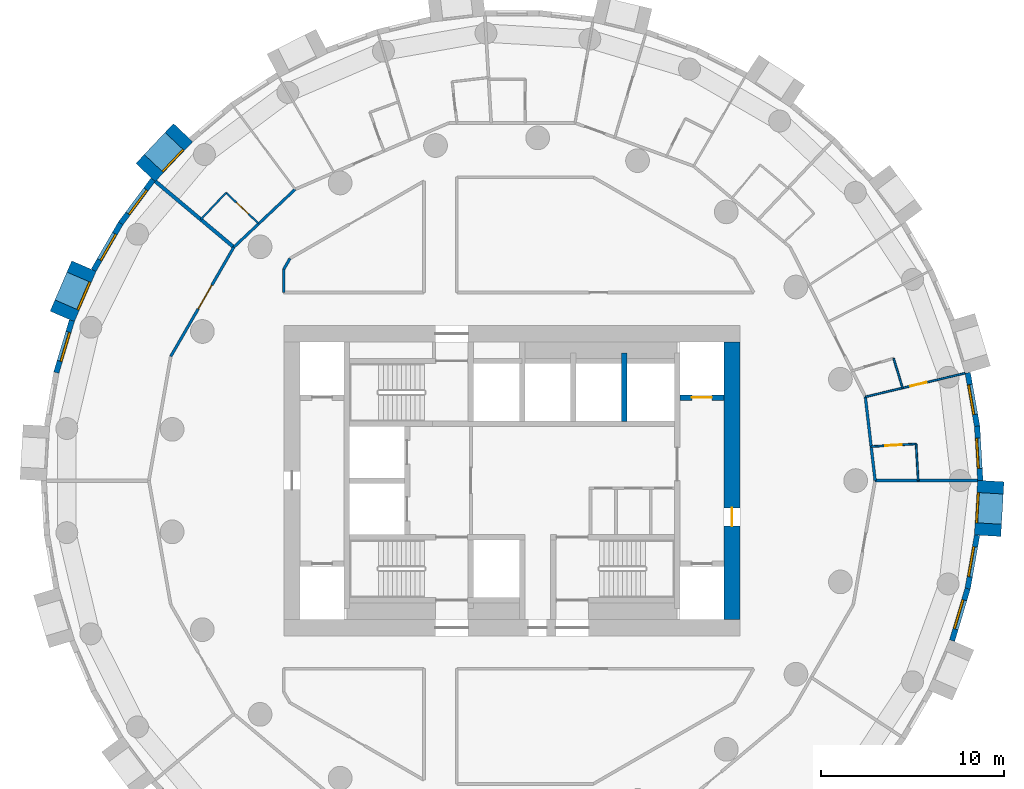
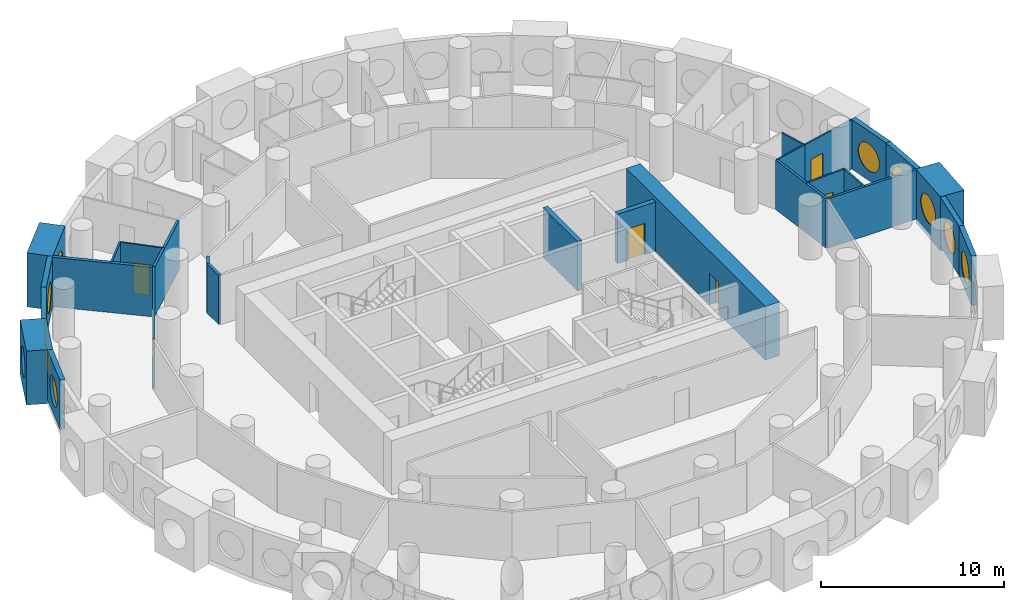
# One storey, part 5 of 10: 27 walls, 10 windows, 6 doors, 16 openings.
"""IFC4 building model written with IfcOpenShell, lengths in metres."""

import ifcopenshell
import ifcopenshell.guid

model = None  # the IFC model being written
_history = None  # IfcOwnerHistory: only IFC2X3 demands one
_inside = {}  # id of a spatial element -> (the spatial element, [elements in it])
_under = {}  # id of a project, library or spatial element -> (it, [spatial elements below it])
_declared = {}  # id of a project -> (the project, [libraries it declares])
_typed = {}  # id of a type object -> (the type object, [elements of that type])
_made_of = {}  # id of a material, layer set ... -> (it, [elements and type objects made of it])


def new_model(schema):
    """Start an empty IFC model of exactly this schema.

    Asked for "IFC4X3", IfcOpenShell would pick the latest addendum, in which some entities
    have other attributes; the version numbers below select the first issue.
    IFC2X3 requires an IfcOwnerHistory on every rooted entity: one is made here for all.
    """
    global model, _history
    if schema == "IFC4X3":
        model = ifcopenshell.file(schema_version=(4, 3, 0, 0))
    else:
        model = ifcopenshell.file(schema=schema)
    _inside.clear()
    _under.clear()
    _declared.clear()
    _typed.clear()
    _made_of.clear()
    _history = None
    if model.schema == "IFC2X3":
        org = make("IfcOrganization", Name="unknown")
        user = make(
            "IfcPersonAndOrganization",
            ThePerson=make("IfcPerson", FamilyName="unknown"),
            TheOrganization=org,
        )
        app = make(
            "IfcApplication",
            ApplicationDeveloper=org,
            Version="unknown",
            ApplicationFullName="unknown",
            ApplicationIdentifier="unknown",
        )
        _history = make(
            "IfcOwnerHistory",
            OwningUser=user,
            OwningApplication=app,
            ChangeAction="ADDED",
            CreationDate=0,
        )
    return model


def make(cls, **values):
    """One entity of the class cls with the attributes given. An attribute that is None is left unset."""
    return model.create_entity(
        cls, **{name: value for name, value in values.items() if value is not None}
    )


def rooted(cls, **values):
    """An entity with a GlobalId (a new one), such as an element, a storey or a relation."""
    return make(cls, GlobalId=ifcopenshell.guid.new(), OwnerHistory=_history, **values)


def si_unit(unit_type, name, prefix=None):
    """IfcSIUnit, for example si_unit("LENGTHUNIT", "METRE", prefix="MILLI")."""
    return make("IfcSIUnit", UnitType=unit_type, Prefix=prefix, Name=name)


def assignment(units):
    """IfcUnitAssignment: the units of a project."""
    return None if units is None else make("IfcUnitAssignment", Units=units)


def point(xyz):
    """IfcCartesianPoint."""
    return None if xyz is None else make("IfcCartesianPoint", Coordinates=xyz)


def direction(xyz):
    """IfcDirection."""
    return None if xyz is None else make("IfcDirection", DirectionRatios=xyz)


def frame(location, z_axis=None, x_axis=None):
    """IfcAxis2Placement3D, a coordinate frame: its origin and axes. An axis left out is left unset."""
    return make(
        "IfcAxis2Placement3D",
        Location=point(location),
        Axis=direction(z_axis),
        RefDirection=direction(x_axis),
    )


def frame_2d(location, x_axis=None):
    """IfcAxis2Placement2D, a coordinate frame in the plane: its origin and x axis."""
    return make(
        "IfcAxis2Placement2D", Location=point(location), RefDirection=direction(x_axis)
    )


def origin():
    """The frame at (0, 0, 0) with its axes left unset."""
    return frame((0.0, 0.0, 0.0))


def origin_2d():
    """The frame at (0, 0) in the plane with its x axis left unset."""
    return frame_2d((0.0, 0.0))


def place(relative_to, where):
    """IfcLocalPlacement: puts the frame where relative to a parent placement (None: the world)."""
    return make(
        "IfcLocalPlacement", PlacementRelTo=relative_to, RelativePlacement=where
    )


def context(
    kind, dimensions, precision=None, world=None, true_north=None, identifier=None
):
    """IfcGeometricRepresentationContext, for example the 3D "Model" context."""
    return make(
        "IfcGeometricRepresentationContext",
        ContextIdentifier=identifier,
        ContextType=kind,
        CoordinateSpaceDimension=dimensions,
        Precision=precision,
        WorldCoordinateSystem=world,
        TrueNorth=true_north,
    )


def subcontext(parent, identifier, kind, view, scale=None):
    """IfcGeometricRepresentationSubContext, for example "Body" below "Model"."""
    return make(
        "IfcGeometricRepresentationSubContext",
        ContextIdentifier=identifier,
        ContextType=kind,
        ParentContext=parent,
        TargetScale=scale,
        TargetView=view,
    )


def project(units=None, contexts=None):
    """IfcProject with its units and contexts."""
    return rooted(
        "IfcProject",
        Name="project",
        RepresentationContexts=contexts,
        UnitsInContext=assignment(units),
    )


def spatial(cls, under=None, at=None, **own):
    """A site, building, storey or space (cls), placed at a placement, below another one or the project."""
    s = rooted(cls, ObjectPlacement=at, **own)
    if under is not None:
        _under.setdefault(under.id(), (under, []))[1].append(s)
    return s


def profile(cls, at=None, kind="AREA", **sizes):
    """A parametric profile (cls). Its sizes go by their IFC names, for example OverallWidth=200.0."""
    return make(cls, ProfileType=kind, Position=at, **sizes)


def rectangle(**sizes):
    """IfcRectangleProfileDef."""
    return profile("IfcRectangleProfileDef", **sizes)


def circle(**sizes):
    """IfcCircleProfileDef."""
    return profile("IfcCircleProfileDef", **sizes)


def extrude(swept, where, along, depth):
    """IfcExtrudedAreaSolid: the profile swept, set in the frame where, extruded along a direction by depth."""
    return make(
        "IfcExtrudedAreaSolid",
        SweptArea=swept,
        Position=where,
        ExtrudedDirection=direction(along),
        Depth=depth,
    )


def shape(context_of_items, identifier, shape_type, items):
    """IfcShapeRepresentation: the items that make up one representation, for example the "Body"."""
    return make(
        "IfcShapeRepresentation",
        ContextOfItems=context_of_items,
        RepresentationIdentifier=identifier,
        RepresentationType=shape_type,
        Items=items,
    )


def material(Name=None, Category=None):
    """IfcMaterial."""
    return make("IfcMaterial", Name=Name, Category=Category)


def layer(
    of_material, thickness, ventilated=None, Name=None, Category=None, Priority=None
):
    """IfcMaterialLayer: one layer of a wall or slab, of a material (None: an air gap)."""
    return make(
        "IfcMaterialLayer",
        Material=of_material,
        LayerThickness=thickness,
        IsVentilated=ventilated,
        Name=Name,
        Category=Category,
        Priority=Priority,
    )


def layer_set(layers, Name=None):
    """IfcMaterialLayerSet."""
    return make("IfcMaterialLayerSet", MaterialLayers=layers, LayerSetName=Name)


def made_of(thing, what):
    """Note that an element or type object is made of a material, layer set ...; save() writes the relation."""
    if what is not None:
        _made_of.setdefault(what.id(), (what, []))[1].append(thing)
    return thing


def type_object(cls, material=None, **own):
    """A type object (cls), such as IfcWallType, which elements share."""
    return made_of(rooted(cls, **own), material)


def element(
    cls,
    number,
    at=None,
    inside=None,
    cuts=None,
    type_object=None,
    material=None,
    context=None,
    identifier="Body",
    shape_type=None,
    held_by="IfcProductDefinitionShape",
    body=None,
    shapes=None,
    **own,
):
    """One element of the class cls, such as IfcWall. Its Tag is "e" and its number.

    at: its placement. inside: the storey or other place that contains it. cuts: it is an
    opening in that element (IfcRelVoidsElement). A single representation is given by context,
    identifier, shape_type and body (its items); several are given by shapes. held_by: the class
    of the entity that holds the representations. save() writes the other relations.
    """
    e = rooted(cls, Tag="e%d" % number, ObjectPlacement=at, **own)
    if body is not None:
        shapes = [shape(context, identifier, shape_type, body)]
    if shapes is not None:
        e.Representation = make(held_by, Representations=shapes)
    if inside is not None:
        _inside.setdefault(inside.id(), (inside, []))[1].append(e)
    if cuts is not None:
        rooted(
            "IfcRelVoidsElement", RelatingBuildingElement=cuts, RelatedOpeningElement=e
        )
    if type_object is not None:
        _typed.setdefault(type_object.id(), (type_object, []))[1].append(e)
    return made_of(e, material)


def fill(opening, filler):
    """IfcRelFillsElement: the door or window that sits in an opening."""
    return rooted(
        "IfcRelFillsElement",
        RelatingOpeningElement=opening,
        RelatedBuildingElement=filler,
    )


def aggregate(whole, parts):
    """IfcRelAggregates: a whole, such as a stair, and the parts it consists of."""
    return rooted("IfcRelAggregates", RelatingObject=whole, RelatedObjects=parts)


def save(model, path):
    """Write the relations noted so far, then the file.

    IfcRelAggregates (storeys below a building ...), IfcRelContainedInSpatialStructure (elements
    in a storey), IfcRelDefinesByType, IfcRelAssociatesMaterial and IfcRelDeclares: one each for
    every whole, place, type object, material and project.
    """
    for whole, parts in _under.values():
        aggregate(whole, parts)
    for where, things in _inside.values():
        rooted(
            "IfcRelContainedInSpatialStructure",
            RelatedElements=things,
            RelatingStructure=where,
        )
    for kind, things in _typed.values():
        rooted("IfcRelDefinesByType", RelatedObjects=things, RelatingType=kind)
    for what, things in _made_of.values():
        rooted("IfcRelAssociatesMaterial", RelatedObjects=things, RelatingMaterial=what)
    for by, libraries in _declared.values():
        rooted("IfcRelDeclares", RelatingContext=by, RelatedDefinitions=libraries)
    model.write(path)


model = new_model("IFC4")

# Units and contexts
model_context = context("Model", 3, precision=1e-05, world=origin(), true_north=direction((0.0, 1.0)))
body_context = subcontext(model_context, "Body", "Model", "MODEL_VIEW")
ifc_project = project(units=[si_unit("LENGTHUNIT", "METRE"), si_unit("AREAUNIT", "SQUARE_METRE"), si_unit("VOLUMEUNIT", "CUBIC_METRE"), si_unit("PLANEANGLEUNIT", "RADIAN"), si_unit("MASSUNIT", "GRAM", prefix="KILO")], contexts=[model_context])

# Site, building, storey
site_placement = place(None, origin())
site = spatial("IfcSite", under=ifc_project, at=site_placement, CompositionType="ELEMENT")
building_placement = place(site_placement, origin())
building = spatial("IfcBuilding", under=site, at=building_placement, Name="Tracery Tower", CompositionType="ELEMENT")
storey_placement = place(building_placement, frame((0.0, 0.0, 129.60009765625)))
storey = spatial("IfcBuildingStorey", under=building, at=storey_placement, Name="L32", CompositionType="ELEMENT", Elevation=129.60009765625)

# Wall, opening, door
ifc_material_1 = material(Name="Concrete C50/60", Category="concrete")
ifc_layer_1 = layer(ifc_material_1, 0.89990234375)
ifc_layer_set_1 = layer_set([ifc_layer_1], Name="Core wall 900 C50")
wall_type_1 = type_object("IfcWallType", Name="Core wall 900 C50", PredefinedType="SOLIDWALL", material=ifc_layer_set_1)
wall_1_placement = place(storey_placement, frame((12.050048828125, -7.60009765625, 0.0), z_axis=(0.0, 0.0, 1.0), x_axis=(0.0, 1.0, 0.0)))
wall_1 = element("IfcWall", 1, at=wall_1_placement, inside=storey, type_object=wall_type_1, Name="L32 outer E", PredefinedType="SOLIDWALL", context=body_context, shape_type="SweptSolid", body=[
    extrude(rectangle(XDim=15.2001953125, YDim=0.89990234375, at=frame_2d((7.60009765625, 0.0))), origin(), (0.0, 0.0, 1.0), 3.599853515625),
])
opening_1_placement = place(wall_1_placement, frame((5.10009765625, 0.0, 0.0)))
opening_1 = element("IfcOpeningElement", 2, at=opening_1_placement, cuts=wall_1, Name="Opening KD18", PredefinedType="OPENING", context=body_context, shape_type="SweptSolid", body=[
    extrude(rectangle(XDim=1.0, YDim=2.10009765625, at=frame_2d((0.5, 1.050048828125))), frame((0.0, 0.449951171875, 0.0), z_axis=(0.0, -1.0, 0.0), x_axis=(1.0, 0.0, 0.0)), (0.0, 0.0, 1.0), 0.89990234375),
])
ifc_material_2 = material(Name="Steel fire door", Category="steel")
door_type_1 = type_object("IfcDoorType", Name="Core exit door 1000", OperationType="NOTDEFINED", PredefinedType="DOOR", material=ifc_material_2)
door_1_placement = place(opening_1_placement, origin())
door_1 = element("IfcDoor", 3, at=door_1_placement, inside=storey, type_object=door_type_1, Name="Core exit door", OperationType="DOUBLE_DOOR_SINGLE_SWING", OverallHeight=2.10009765625, OverallWidth=1.0, PredefinedType="DOOR", context=body_context, shape_type="SweptSolid", body=[
    extrude(rectangle(XDim=1.0, YDim=2.10009765625, at=frame_2d((0.5, 1.050048828125))), frame((0.0, 0.02490234375, 0.0), z_axis=(0.0, -1.0, 0.0), x_axis=(1.0, 0.0, 0.0)), (0.0, 0.0, 1.0), 0.050048828125),
])
fill(opening_1, door_1)

# Wall, opening, window
ifc_material_3 = material(Name="Precast concrete C50/60", Category="concrete")
ifc_layer_2 = layer(ifc_material_3, 1.449951171875)
ifc_layer_set_2 = layer_set([ifc_layer_2], Name="Deep-set bay unit 3000 x 3600, slab edge 300")
wall_type_2 = type_object("IfcWallType", Name="Deep-set bay unit 3000 x 3600, slab edge 300", PredefinedType="ELEMENTEDWALL", material=ifc_layer_set_2)
wall_2_placement = place(storey_placement, frame((-18.0126953125, 19.05615234375, -0.300048828125), z_axis=(0.0, 0.0, 1.0), x_axis=(-0.686217177108, -0.727396718334, 0.0)))
wall_2 = element("IfcWall", 4, at=wall_2_placement, inside=storey, type_object=wall_type_2, Name="Deep-set bay unit 21 at L32", PredefinedType="ELEMENTEDWALL", context=body_context, shape_type="SweptSolid", body=[
    extrude(rectangle(XDim=3.0, YDim=1.449951171875, at=frame_2d((1.5, 0.0))), origin(), (0.0, 0.0, 1.0), 3.599853515625),
])
opening_2_placement = place(wall_2_placement, frame((1.5, 0.0, 1.85009765625)))
opening_2 = element("IfcOpeningElement", 5, at=opening_2_placement, cuts=wall_2, Name="Opening WN1", PredefinedType="OPENING", context=body_context, shape_type="SweptSolid", body=[
    extrude(circle(Radius=0.9000244140625, at=origin_2d()), frame((0.0, 0.73486328125, 0.0), z_axis=(0.0, -1.0, 0.0), x_axis=(1.0, 0.0, 0.0)), (0.0, 0.0, 1.0), 1.469970703125),
])
ifc_material_4 = material(Name="Aluminium frame with tinted double glazing", Category="aluminium")
window_type = type_object("IfcWindowType", Name="Round window 1800", PartitioningType="SINGLE_PANEL", PredefinedType="WINDOW", material=ifc_material_4)
window_1_placement = place(opening_2_placement, origin())
window_1 = element("IfcWindow", 6, at=window_1_placement, inside=storey, type_object=window_type, Name="Round window 21 at L32", OverallHeight=1.800048828125, OverallWidth=1.800048828125, PartitioningType="SINGLE_PANEL", PredefinedType="WINDOW", context=body_context, shape_type="SweptSolid", body=[
    extrude(circle(Radius=0.9000244140625, at=origin_2d()), frame((0.0, 0.69482421875, 0.0), z_axis=(0.0, -1.0, 0.0), x_axis=(1.0, 0.0, 0.0)), (0.0, 0.0, 1.0), 0.10009765625),
])
fill(opening_2, window_1)

wall_3_placement = place(storey_placement, frame((-23.44384765625, 11.746337890625, -0.300048828125), z_axis=(0.0, 0.0, 1.0), x_axis=(-0.396079003245, -0.918216435917, 0.0)))
wall_3 = element("IfcWall", 7, at=wall_3_placement, inside=storey, type_object=wall_type_2, Name="Deep-set bay unit 24 at L32", PredefinedType="ELEMENTEDWALL", context=body_context, shape_type="SweptSolid", body=[
    extrude(rectangle(XDim=3.0, YDim=1.449951171875, at=frame_2d((1.5, 0.0))), origin(), (0.0, 0.0, 1.0), 3.599853515625),
])
opening_3_placement = place(wall_3_placement, frame((1.5, 0.0, 1.85009765625)))
opening_3 = element("IfcOpeningElement", 8, at=opening_3_placement, cuts=wall_3, Name="Opening WN1", PredefinedType="OPENING", context=body_context, shape_type="SweptSolid", body=[
    extrude(circle(Radius=0.9000244140625, at=origin_2d()), frame((0.0, 0.73486328125, 0.0), z_axis=(0.0, -1.0, 0.0), x_axis=(1.0, 0.0, 0.0)), (0.0, 0.0, 1.0), 1.469970703125),
])
window_2_placement = place(opening_3_placement, origin())
window_2 = element("IfcWindow", 9, at=window_2_placement, inside=storey, type_object=window_type, Name="Round window 24 at L32", OverallHeight=1.800048828125, OverallWidth=1.800048828125, PartitioningType="SINGLE_PANEL", PredefinedType="WINDOW", context=body_context, shape_type="SweptSolid", body=[
    extrude(circle(Radius=0.9000244140625, at=origin_2d()), frame((0.0, 0.69482421875, 0.0), z_axis=(0.0, -1.0, 0.0), x_axis=(1.0, 0.0, 0.0)), (0.0, 0.0, 1.0), 0.10009765625),
])
fill(opening_3, window_2)

wall_4_placement = place(storey_placement, frame((26.047607421875, -3.01953125, -0.300048828125), z_axis=(0.0, 0.0, 1.0), x_axis=(0.058106596105, 0.998310384344, 0.0)))
wall_4 = element("IfcWall", 10, at=wall_4_placement, inside=storey, type_object=wall_type_2, Name="Deep-set bay unit 54 at L32", PredefinedType="ELEMENTEDWALL", context=body_context, shape_type="SweptSolid", body=[
    extrude(rectangle(XDim=3.0, YDim=1.449951171875, at=frame_2d((1.5, 0.0))), origin(), (0.0, 0.0, 1.0), 3.599853515625),
])
opening_4_placement = place(wall_4_placement, frame((1.5, 0.0, 1.85009765625)))
opening_4 = element("IfcOpeningElement", 11, at=opening_4_placement, cuts=wall_4, Name="Opening WN1", PredefinedType="OPENING", context=body_context, shape_type="SweptSolid", body=[
    extrude(circle(Radius=0.9000244140625, at=origin_2d()), frame((0.0, 0.73486328125, 0.0), z_axis=(0.0, -1.0, 0.0), x_axis=(1.0, 0.0, 0.0)), (0.0, 0.0, 1.0), 1.469970703125),
])
window_3_placement = place(opening_4_placement, origin())
window_3 = element("IfcWindow", 12, at=window_3_placement, inside=storey, type_object=window_type, Name="Round window 54 at L32", OverallHeight=1.800048828125, OverallWidth=1.800048828125, PartitioningType="SINGLE_PANEL", PredefinedType="WINDOW", context=body_context, shape_type="SweptSolid", body=[
    extrude(circle(Radius=0.9000244140625, at=origin_2d()), frame((0.0, 0.69482421875, 0.0), z_axis=(0.0, -1.0, 0.0), x_axis=(1.0, 0.0, 0.0)), (0.0, 0.0, 1.0), 0.10009765625),
])
fill(opening_4, window_3)

ifc_material_5 = material(Name="Precast concrete C50/60", Category="concrete")
ifc_layer_3 = layer(ifc_material_5, 0.300048828125)
ifc_layer_set_3 = layer_set([ifc_layer_3], Name="Facade panel 3000 x 3300")
wall_type_3 = type_object("IfcWallType", Name="Facade panel 3000 x 3300", PredefinedType="SOLIDWALL", material=ifc_layer_set_3)
wall_5_placement = place(storey_placement, frame((25.64697265625, 0.009521484375, 0.0), z_axis=(0.0, 0.0, 1.0), x_axis=(-0.058139540521, 0.998308466271, 0.0)))
wall_5 = element("IfcWall", 13, at=wall_5_placement, inside=storey, type_object=wall_type_3, Name="Facade panel 1 at L32", PredefinedType="SOLIDWALL", context=body_context, shape_type="SweptSolid", body=[
    extrude(rectangle(XDim=2.97314453125, YDim=0.300048828125, at=frame_2d((1.486572265625, 0.0))), origin(), (0.0, 0.0, 1.0), 3.2998046875),
])
opening_5_placement = place(wall_5_placement, frame((1.486328125, 0.0, 1.5498046875)))
opening_5 = element("IfcOpeningElement", 14, at=opening_5_placement, cuts=wall_5, Name="Opening WN1", PredefinedType="OPENING", context=body_context, shape_type="SweptSolid", body=[
    extrude(circle(Radius=0.9000244140625, at=origin_2d()), frame((0.0, 0.159912109375, 0.0), z_axis=(0.0, -1.0, 0.0), x_axis=(1.0, 0.0, 0.0)), (0.0, 0.0, 1.0), 0.320068359375),
])
window_4_placement = place(opening_5_placement, origin())
window_4 = element("IfcWindow", 15, at=window_4_placement, inside=storey, type_object=window_type, Name="Round window 1 at L32", OverallHeight=1.800048828125, OverallWidth=1.800048828125, PartitioningType="SINGLE_PANEL", PredefinedType="WINDOW", context=body_context, shape_type="SweptSolid", body=[
    extrude(circle(Radius=0.9000244140625, at=origin_2d()), frame((0.0, 0.1201171875, 0.0), z_axis=(0.0, -1.0, 0.0), x_axis=(1.0, 0.0, 0.0)), (0.0, 0.0, 1.0), 0.10009765625),
])
fill(opening_5, window_4)

wall_6_placement = place(storey_placement, frame((25.47412109375, 2.9775390625, 0.0), z_axis=(0.0, 0.0, 1.0), x_axis=(-0.173686952598, 0.984800915159, 0.0)))
wall_6 = element("IfcWall", 16, at=wall_6_placement, inside=storey, type_object=wall_type_3, Name="Facade panel 2 at L32", PredefinedType="SOLIDWALL", context=body_context, shape_type="SweptSolid", body=[
    extrude(rectangle(XDim=2.972900390625, YDim=0.300048828125, at=frame_2d((1.486328125, 0.0))), origin(), (0.0, 0.0, 1.0), 3.2998046875),
])
opening_6_placement = place(wall_6_placement, frame((1.486328125, 0.0, 1.5498046875)))
opening_6 = element("IfcOpeningElement", 17, at=opening_6_placement, cuts=wall_6, Name="Opening WN1", PredefinedType="OPENING", context=body_context, shape_type="SweptSolid", body=[
    extrude(circle(Radius=0.9000244140625, at=origin_2d()), frame((0.0, 0.159912109375, 0.0), z_axis=(0.0, -1.0, 0.0), x_axis=(1.0, 0.0, 0.0)), (0.0, 0.0, 1.0), 0.320068359375),
])
window_5_placement = place(opening_6_placement, origin())
window_5 = element("IfcWindow", 18, at=window_5_placement, inside=storey, type_object=window_type, Name="Round window 2 at L32", OverallHeight=1.800048828125, OverallWidth=1.800048828125, PartitioningType="SINGLE_PANEL", PredefinedType="WINDOW", context=body_context, shape_type="SweptSolid", body=[
    extrude(circle(Radius=0.9000244140625, at=origin_2d()), frame((0.0, 0.1201171875, 0.0), z_axis=(0.0, -1.0, 0.0), x_axis=(1.0, 0.0, 0.0)), (0.0, 0.0, 1.0), 0.10009765625),
])
fill(opening_6, window_5)

wall_7_placement = place(storey_placement, frame((-19.65283203125, 16.47802734375, 0.0), z_axis=(0.0, 0.0, 1.0), x_axis=(-0.597197580538, -0.80209416517, 0.0)))
wall_7 = element("IfcWall", 19, at=wall_7_placement, inside=storey, type_object=wall_type_3, Name="Facade panel 22 at L32", PredefinedType="SOLIDWALL", context=body_context, shape_type="SweptSolid", body=[
    extrude(rectangle(XDim=2.972900390625, YDim=0.300048828125, at=frame_2d((1.486328125, 0.0))), origin(), (0.0, 0.0, 1.0), 3.2998046875),
])
opening_7_placement = place(wall_7_placement, frame((1.486328125, 0.0, 1.5498046875)))
opening_7 = element("IfcOpeningElement", 20, at=opening_7_placement, cuts=wall_7, Name="Opening WN1", PredefinedType="OPENING", context=body_context, shape_type="SweptSolid", body=[
    extrude(circle(Radius=0.9000244140625, at=origin_2d()), frame((0.0, 0.159912109375, 0.0), z_axis=(0.0, -1.0, 0.0), x_axis=(1.0, 0.0, 0.0)), (0.0, 0.0, 1.0), 0.320068359375),
])
window_6_placement = place(opening_7_placement, origin())
window_6 = element("IfcWindow", 21, at=window_6_placement, inside=storey, type_object=window_type, Name="Round window 22 at L32", OverallHeight=1.800048828125, OverallWidth=1.800048828125, PartitioningType="SINGLE_PANEL", PredefinedType="WINDOW", context=body_context, shape_type="SweptSolid", body=[
    extrude(circle(Radius=0.9000244140625, at=origin_2d()), frame((0.0, 0.1201171875, 0.0), z_axis=(0.0, -1.0, 0.0), x_axis=(1.0, 0.0, 0.0)), (0.0, 0.0, 1.0), 0.10009765625),
])
fill(opening_7, window_6)

wall_8_placement = place(storey_placement, frame((-21.42822265625, 14.093505859375, 0.0), z_axis=(0.0, 0.0, 1.0), x_axis=(-0.499954672104, -0.866051572276, 0.0)))
wall_8 = element("IfcWall", 22, at=wall_8_placement, inside=storey, type_object=wall_type_3, Name="Facade panel 23 at L32", PredefinedType="SOLIDWALL", context=body_context, shape_type="SweptSolid", body=[
    extrude(rectangle(XDim=2.972900390625, YDim=0.300048828125, at=frame_2d((1.486328125, 0.0))), origin(), (0.0, 0.0, 1.0), 3.2998046875),
])
opening_8_placement = place(wall_8_placement, frame((1.486328125, 0.0, 1.5498046875)))
opening_8 = element("IfcOpeningElement", 23, at=opening_8_placement, cuts=wall_8, Name="Opening WN1", PredefinedType="OPENING", context=body_context, shape_type="SweptSolid", body=[
    extrude(circle(Radius=0.9000244140625, at=origin_2d()), frame((0.0, 0.159912109375, 0.0), z_axis=(0.0, -1.0, 0.0), x_axis=(1.0, 0.0, 0.0)), (0.0, 0.0, 1.0), 0.320068359375),
])
window_7_placement = place(opening_8_placement, origin())
window_7 = element("IfcWindow", 24, at=window_7_placement, inside=storey, type_object=window_type, Name="Round window 23 at L32", OverallHeight=1.800048828125, OverallWidth=1.800048828125, PartitioningType="SINGLE_PANEL", PredefinedType="WINDOW", context=body_context, shape_type="SweptSolid", body=[
    extrude(circle(Radius=0.9000244140625, at=origin_2d()), frame((0.0, 0.1201171875, 0.0), z_axis=(0.0, -1.0, 0.0), x_axis=(1.0, 0.0, 0.0)), (0.0, 0.0, 1.0), 0.10009765625),
])
fill(opening_8, window_7)

wall_9_placement = place(storey_placement, frame((-24.103515625, 8.7626953125, 0.0), z_axis=(0.0, 0.0, 1.0), x_axis=(-0.286782750849, -0.957995643944, 0.0)))
wall_9 = element("IfcWall", 25, at=wall_9_placement, inside=storey, type_object=wall_type_3, Name="Facade panel 25 at L32", PredefinedType="SOLIDWALL", context=body_context, shape_type="SweptSolid", body=[
    extrude(rectangle(XDim=2.97265625, YDim=0.300048828125, at=frame_2d((1.486328125, 0.0))), origin(), (0.0, 0.0, 1.0), 3.2998046875),
])
opening_9_placement = place(wall_9_placement, frame((1.486328125, 0.0, 1.5498046875)))
opening_9 = element("IfcOpeningElement", 26, at=opening_9_placement, cuts=wall_9, Name="Opening WN1", PredefinedType="OPENING", context=body_context, shape_type="SweptSolid", body=[
    extrude(circle(Radius=0.9000244140625, at=origin_2d()), frame((0.0, 0.159912109375, 0.0), z_axis=(0.0, -1.0, 0.0), x_axis=(1.0, 0.0, 0.0)), (0.0, 0.0, 1.0), 0.320068359375),
])
window_8_placement = place(opening_9_placement, origin())
window_8 = element("IfcWindow", 27, at=window_8_placement, inside=storey, type_object=window_type, Name="Round window 25 at L32", OverallHeight=1.800048828125, OverallWidth=1.800048828125, PartitioningType="SINGLE_PANEL", PredefinedType="WINDOW", context=body_context, shape_type="SweptSolid", body=[
    extrude(circle(Radius=0.9000244140625, at=origin_2d()), frame((0.0, 0.1201171875, 0.0), z_axis=(0.0, -1.0, 0.0), x_axis=(1.0, 0.0, 0.0)), (0.0, 0.0, 1.0), 0.10009765625),
])
fill(opening_9, window_8)

wall_10_placement = place(storey_placement, frame((24.103515625, -8.7626953125, 0.0), z_axis=(0.0, 0.0, 1.0), x_axis=(0.286782750849, 0.957995643944, 0.0)))
wall_10 = element("IfcWall", 28, at=wall_10_placement, inside=storey, type_object=wall_type_3, Name="Facade panel 52 at L32", PredefinedType="SOLIDWALL", context=body_context, shape_type="SweptSolid", body=[
    extrude(rectangle(XDim=2.97265625, YDim=0.300048828125, at=frame_2d((1.486328125, 0.0))), origin(), (0.0, 0.0, 1.0), 3.2998046875),
])
opening_10_placement = place(wall_10_placement, frame((1.486328125, 0.0, 1.5498046875)))
opening_10 = element("IfcOpeningElement", 29, at=opening_10_placement, cuts=wall_10, Name="Opening WN1", PredefinedType="OPENING", context=body_context, shape_type="SweptSolid", body=[
    extrude(circle(Radius=0.9000244140625, at=origin_2d()), frame((0.0, 0.159912109375, 0.0), z_axis=(0.0, -1.0, 0.0), x_axis=(1.0, 0.0, 0.0)), (0.0, 0.0, 1.0), 0.320068359375),
])
window_9_placement = place(opening_10_placement, origin())
window_9 = element("IfcWindow", 30, at=window_9_placement, inside=storey, type_object=window_type, Name="Round window 52 at L32", OverallHeight=1.800048828125, OverallWidth=1.800048828125, PartitioningType="SINGLE_PANEL", PredefinedType="WINDOW", context=body_context, shape_type="SweptSolid", body=[
    extrude(circle(Radius=0.9000244140625, at=origin_2d()), frame((0.0, 0.1201171875, 0.0), z_axis=(0.0, -1.0, 0.0), x_axis=(1.0, 0.0, 0.0)), (0.0, 0.0, 1.0), 0.10009765625),
])
fill(opening_10, window_9)

wall_11_placement = place(storey_placement, frame((24.9560546875, -5.914794921875, 0.0), z_axis=(0.0, 0.0, 1.0), x_axis=(0.173686952598, 0.984800915159, 0.0)))
wall_11 = element("IfcWall", 31, at=wall_11_placement, inside=storey, type_object=wall_type_3, Name="Facade panel 53 at L32", PredefinedType="SOLIDWALL", context=body_context, shape_type="SweptSolid", body=[
    extrude(rectangle(XDim=2.972900390625, YDim=0.300048828125, at=frame_2d((1.486328125, 0.0))), origin(), (0.0, 0.0, 1.0), 3.2998046875),
])
opening_11_placement = place(wall_11_placement, frame((1.486328125, 0.0, 1.5498046875)))
opening_11 = element("IfcOpeningElement", 32, at=opening_11_placement, cuts=wall_11, Name="Opening WN1", PredefinedType="OPENING", context=body_context, shape_type="SweptSolid", body=[
    extrude(circle(Radius=0.9000244140625, at=origin_2d()), frame((0.0, 0.159912109375, 0.0), z_axis=(0.0, -1.0, 0.0), x_axis=(1.0, 0.0, 0.0)), (0.0, 0.0, 1.0), 0.320068359375),
])
window_10_placement = place(opening_11_placement, origin())
window_10 = element("IfcWindow", 33, at=window_10_placement, inside=storey, type_object=window_type, Name="Round window 53 at L32", OverallHeight=1.800048828125, OverallWidth=1.800048828125, PartitioningType="SINGLE_PANEL", PredefinedType="WINDOW", context=body_context, shape_type="SweptSolid", body=[
    extrude(circle(Radius=0.9000244140625, at=origin_2d()), frame((0.0, 0.1201171875, 0.0), z_axis=(0.0, -1.0, 0.0), x_axis=(1.0, 0.0, 0.0)), (0.0, 0.0, 1.0), 0.10009765625),
])
fill(opening_11, window_10)

# Wall, opening, door
ifc_material_6 = material(Name="Plasterboard on steel studs", Category="steel")
ifc_layer_4 = layer(ifc_material_6, 0.10009765625)
ifc_layer_set_4 = layer_set([ifc_layer_4], Name="Partition 100 stud")
wall_type_4 = type_object("IfcWallType", Name="Partition 100 stud", PredefinedType="PARTITIONING", material=ifc_layer_set_4)
wall_12_placement = place(storey_placement, frame((21.388916015625, 5.069091796875, 0.0), z_axis=(0.0, 0.0, 1.0), x_axis=(0.973047083334, 0.2306065342, 0.0)))
wall_12 = element("IfcWall", 34, at=wall_12_placement, inside=storey, type_object=wall_type_4, Name="Stud partition RB1-043", PredefinedType="PARTITIONING", context=body_context, shape_type="SweptSolid", body=[
    extrude(rectangle(XDim=3.515869140625, YDim=0.10009765625, at=frame_2d((1.7578125, 0.0))), origin(), (0.0, 0.0, 1.0), 3.2998046875),
])
opening_12_placement = place(wall_12_placement, frame((0.44677734375, 0.0, 0.0)))
opening_12 = element("IfcOpeningElement", 35, at=opening_12_placement, cuts=wall_12, Name="Opening RB1-08", PredefinedType="OPENING", context=body_context, shape_type="SweptSolid", body=[
    extrude(rectangle(XDim=0.89990234375, YDim=2.10009765625, at=frame_2d((0.449951171875, 1.050048828125))), frame((0.0, 0.050048828125, 0.0), z_axis=(0.0, -1.0, 0.0), x_axis=(1.0, 0.0, 0.0)), (0.0, 0.0, 1.0), 0.10009765625),
])
ifc_material_7 = material(Name="Timber door leaf", Category="wood")
door_type_2 = type_object("IfcDoorType", Name="Door bedroom 900", OperationType="NOTDEFINED", PredefinedType="DOOR", material=ifc_material_7)
door_2_placement = place(opening_12_placement, origin())
door_2 = element("IfcDoor", 36, at=door_2_placement, inside=storey, type_object=door_type_2, Name="Bedroom door RB1-08", OperationType="SINGLE_SWING_RIGHT", OverallHeight=2.10009765625, OverallWidth=0.89990234375, PredefinedType="DOOR", context=body_context, shape_type="SweptSolid", body=[
    extrude(rectangle(XDim=0.89990234375, YDim=2.10009765625, at=frame_2d((0.449951171875, 1.050048828125))), frame((0.0, 0.02490234375, 0.0), z_axis=(0.0, -1.0, 0.0), x_axis=(1.0, 0.0, 0.0)), (0.0, 0.0, 1.0), 0.050048828125),
])
fill(opening_12, door_2)

# Walls
ifc_material_8 = material(Name="Plasterboard on steel studs", Category="steel")
ifc_layer_5 = layer(ifc_material_8, 0.10009765625)
ifc_layer_set_5 = layer_set([ifc_layer_5], Name="Partition 100 wet wall")
wall_type_5 = type_object("IfcWallType", Name="Partition 100 wet wall", PredefinedType="PARTITIONING", material=ifc_layer_set_5)
wall_13_placement = place(storey_placement, frame((20.902099609375, 6.694091796875, 0.0), z_axis=(0.0, 0.0, 1.0), x_axis=(0.286978159246, -0.957937125346, 0.0)))
element("IfcWall", 37, at=wall_13_placement, inside=storey, type_object=wall_type_5, Name="Wet wall RB1-041", PredefinedType="PARTITIONING", context=body_context, shape_type="SweptSolid", body=[
    extrude(rectangle(XDim=1.6962890625, YDim=0.10009765625, at=frame_2d((0.84814453125, 0.0))), origin(), (0.0, 0.0, 1.0), 3.2998046875),
])
wall_14_placement = place(storey_placement, frame((19.35205078125, 4.5859375, 0.0), z_axis=(0.0, 0.0, 1.0), x_axis=(0.973001078158, 0.230800567383, 0.0)))
element("IfcWall", 38, at=wall_14_placement, inside=storey, type_object=wall_type_5, Name="Wet wall RB1-045", PredefinedType="PARTITIONING", context=body_context, shape_type="SweptSolid", body=[
    extrude(rectangle(XDim=2.093505859375, YDim=0.10009765625, at=frame_2d((1.046875, 0.0))), origin(), (0.0, 0.0, 1.0), 3.2998046875),
])
wall_15_placement = place(storey_placement, frame((22.1298828125, 2.008056640625, 0.0), z_axis=(0.0, 0.0, 1.0), x_axis=(0.058259538708, -0.998301470574, 0.0)))
element("IfcWall", 39, at=wall_15_placement, inside=storey, type_object=wall_type_5, Name="Wet wall RB1-046", PredefinedType="PARTITIONING", context=body_context, shape_type="SweptSolid", body=[
    extrude(rectangle(XDim=2.011474609375, YDim=0.10009765625, at=frame_2d((1.005859375, 0.0))), origin(), (0.0, 0.0, 1.0), 3.2998046875),
])

# Wall, opening, door
wall_16_placement = place(storey_placement, frame((19.669921875, 1.864013671875, 0.0), z_axis=(0.0, 0.0, 1.0), x_axis=(0.998290052933, 0.058454856216, 0.0)))
wall_16 = element("IfcWall", 40, at=wall_16_placement, inside=storey, type_object=wall_type_5, Name="Wet wall RB1-047", PredefinedType="PARTITIONING", context=body_context, shape_type="SweptSolid", body=[
    extrude(rectangle(XDim=2.464111328125, YDim=0.10009765625, at=frame_2d((1.23193359375, 0.0))), origin(), (0.0, 0.0, 1.0), 3.2998046875),
])
opening_13_placement = place(wall_16_placement, frame((0.7822265625, 0.0, 0.0)))
opening_13 = element("IfcOpeningElement", 41, at=opening_13_placement, cuts=wall_16, Name="Opening RB1-09", PredefinedType="OPENING", context=body_context, shape_type="SweptSolid", body=[
    extrude(rectangle(XDim=0.89990234375, YDim=2.0400390625, at=frame_2d((0.449951171875, 1.02001953125))), frame((0.0, 0.050048828125, 0.0), z_axis=(0.0, -1.0, 0.0), x_axis=(1.0, 0.0, 0.0)), (0.0, 0.0, 1.0), 0.10009765625),
])
ifc_material_9 = material(Name="Timber door leaf", Category="wood")
door_type_3 = type_object("IfcDoorType", Name="Door en-suite 900", OperationType="NOTDEFINED", PredefinedType="DOOR", material=ifc_material_9)
door_3_placement = place(opening_13_placement, origin())
door_3 = element("IfcDoor", 42, at=door_3_placement, inside=storey, type_object=door_type_3, Name="En-suite door RB1-09", OperationType="SINGLE_SWING_LEFT", OverallHeight=2.0400390625, OverallWidth=0.89990234375, PredefinedType="DOOR", context=body_context, shape_type="SweptSolid", body=[
    extrude(rectangle(XDim=0.89990234375, YDim=2.0400390625, at=frame_2d((0.449951171875, 1.02001953125))), frame((0.0, 0.02490234375, 0.0), z_axis=(0.0, -1.0, 0.0), x_axis=(1.0, 0.0, 0.0)), (0.0, 0.0, 1.0), 0.050048828125),
])
fill(opening_13, door_3)

wall_17_placement = place(storey_placement, frame((-15.662109375, 15.762939453125, 0.0), z_axis=(0.0, 0.0, 1.0), x_axis=(0.727320856717, -0.686297582237, 0.0)))
wall_17 = element("IfcWall", 43, at=wall_17_placement, inside=storey, type_object=wall_type_5, Name="Wet wall RB1-073", PredefinedType="PARTITIONING", context=body_context, shape_type="SweptSolid", body=[
    extrude(rectangle(XDim=2.4638671875, YDim=0.10009765625, at=frame_2d((1.23193359375, 0.0))), origin(), (0.0, 0.0, 1.0), 3.2998046875),
])
opening_14_placement = place(wall_17_placement, frame((0.781982421875, 0.0, 0.0)))
opening_14 = element("IfcOpeningElement", 44, at=opening_14_placement, cuts=wall_17, Name="Opening RB1-25", PredefinedType="OPENING", context=body_context, shape_type="SweptSolid", body=[
    extrude(rectangle(XDim=0.89990234375, YDim=2.0400390625, at=frame_2d((0.449951171875, 1.02001953125))), frame((0.0, 0.050048828125, 0.0), z_axis=(0.0, -1.0, 0.0), x_axis=(1.0, 0.0, 0.0)), (0.0, 0.0, 1.0), 0.10009765625),
])
door_4_placement = place(opening_14_placement, origin())
door_4 = element("IfcDoor", 45, at=door_4_placement, inside=storey, type_object=door_type_3, Name="En-suite door RB1-25", OperationType="SINGLE_SWING_RIGHT", OverallHeight=2.0400390625, OverallWidth=0.89990234375, PredefinedType="DOOR", context=body_context, shape_type="SweptSolid", body=[
    extrude(rectangle(XDim=0.89990234375, YDim=2.0400390625, at=frame_2d((0.449951171875, 1.02001953125))), frame((0.0, 0.02490234375, 0.0), z_axis=(0.0, -1.0, 0.0), x_axis=(1.0, 0.0, 0.0)), (0.0, 0.0, 1.0), 0.050048828125),
])
fill(opening_14, door_4)

# Walls
wall_18_placement = place(storey_placement, frame((-17.0419921875, 14.300048828125, 0.0), z_axis=(0.0, 0.0, 1.0), x_axis=(0.686167098493, 0.727443958629, 0.0)))
element("IfcWall", 46, at=wall_18_placement, inside=storey, type_object=wall_type_5, Name="Wet wall RB1-074", PredefinedType="PARTITIONING", context=body_context, shape_type="SweptSolid", body=[
    extrude(rectangle(XDim=2.010986328125, YDim=0.10009765625, at=frame_2d((1.00537109375, 0.0))), origin(), (0.0, 0.0, 1.0), 3.2998046875),
])
ifc_material_10 = material(Name="Plasterboard on steel studs", Category="steel")
ifc_layer_6 = layer(ifc_material_10, 0.14990234375)
ifc_layer_set_6 = layer_set([ifc_layer_6], Name="Partition 150 acoustic unit wall")
wall_type_6 = type_object("IfcWallType", Name="Partition 150 acoustic unit wall", PredefinedType="PARTITIONING", material=ifc_layer_set_6)
wall_19_placement = place(storey_placement, frame((19.887939453125, 0.0, 0.0), z_axis=(0.0, 0.0, 1.0), x_axis=(1.0, 0.0, 0.0)))
element("IfcWall", 47, at=wall_19_placement, inside=storey, type_object=wall_type_6, Name="Unit wall RB1-048", PredefinedType="PARTITIONING", context=body_context, shape_type="SweptSolid", body=[
    extrude(rectangle(XDim=5.609130859375, YDim=0.14990234375, at=frame_2d((2.8046875, 0.0))), origin(), (0.0, 0.0, 1.0), 3.2998046875),
])
ifc_material_11 = material(Name="Plasterboard on steel studs", Category="steel")
ifc_layer_7 = layer(ifc_material_11, 0.14990234375)
ifc_layer_set_7 = layer_set([ifc_layer_7], Name="Partition 150 corridor wall")
wall_type_7 = type_object("IfcWallType", Name="Partition 150 corridor wall", PredefinedType="PARTITIONING", material=ifc_layer_set_7)
for number, where, z_axis, x_axis, name in (
    (48, (19.35205078125, 4.5859375, 0.0), (0.0, 0.0, 1.0), (0.116221510549, -0.993223318537, 0.0), "Corridor wall RB1-008"),
    (49, (-15.2353515625, 12.784423828125, 0.0), (0.0, 0.0, 1.0), (0.7275818654, 0.686020866403, 0.0), "Corridor wall RB1-022"),
):
    element("IfcWall", number, at=place(storey_placement, frame(where, z_axis=z_axis, x_axis=x_axis)), inside=storey, type_object=wall_type_7, Name=name, PredefinedType="PARTITIONING", context=body_context, shape_type="SweptSolid", body=[
        extrude(rectangle(XDim=4.6171875, YDim=0.14990234375, at=frame_2d((2.30859375, 0.0))), origin(), (0.0, 0.0, 1.0), 3.2998046875),
    ])
wall_20_placement = place(storey_placement, frame((-12.5, 11.576904296875, 0.0), z_axis=(0.0, 0.0, 1.0), x_axis=(0.500024767483, 0.866011103799, 0.0)))
element("IfcWall", 50, at=wall_20_placement, inside=storey, type_object=wall_type_7, Name="Corridor wall RB1-023", PredefinedType="PARTITIONING", context=body_context, shape_type="SweptSolid", body=[
    extrude(rectangle(XDim=0.67578125, YDim=0.14990234375, at=frame_2d((0.337890625, 0.0))), origin(), (0.0, 0.0, 1.0), 3.2998046875),
])
wall_21_placement = place(storey_placement, frame((-12.5, 10.300048828125, 0.0), z_axis=(0.0, 0.0, 1.0), x_axis=(0.0, 1.0, 0.0)))
element("IfcWall", 51, at=wall_21_placement, inside=storey, type_object=wall_type_7, Name="Corridor wall RB1-024", PredefinedType="PARTITIONING", context=body_context, shape_type="SweptSolid", body=[
    extrude(rectangle(XDim=1.27685546875, YDim=0.14990234375, at=frame_2d((0.638427734375, 0.0))), origin(), (0.0, 0.0, 1.0), 3.2998046875),
])

# Wall, opening, door
wall_22_placement = place(storey_placement, frame((-18.68798828125, 6.802001953125, 0.0), z_axis=(0.0, 0.0, 1.0), x_axis=(0.499914202267, 0.866074933462, 0.0)))
wall_22 = element("IfcWall", 52, at=wall_22_placement, inside=storey, type_object=wall_type_7, Name="Corridor wall RB1-028", PredefinedType="PARTITIONING", context=body_context, shape_type="SweptSolid", body=[
    extrude(rectangle(XDim=6.906982421875, YDim=0.14990234375, at=frame_2d((3.45361328125, 0.0))), origin(), (0.0, 0.0, 1.0), 3.2998046875),
])
opening_15_placement = place(wall_22_placement, frame((3.00390625, 0.0, 0.0)))
opening_15 = element("IfcOpeningElement", 53, at=opening_15_placement, cuts=wall_22, Name="Opening RB1-26", PredefinedType="OPENING", context=body_context, shape_type="SweptSolid", body=[
    extrude(rectangle(XDim=1.5, YDim=2.10009765625, at=frame_2d((0.75, 1.050048828125))), frame((0.0, 0.074951171875, 0.0), z_axis=(0.0, -1.0, 0.0), x_axis=(1.0, 0.0, 0.0)), (0.0, 0.0, 1.0), 0.14990234375),
])
ifc_material_12 = material(Name="Timber door leaf", Category="wood")
door_type_4 = type_object("IfcDoorType", Name="Door double kitchen 1500", OperationType="NOTDEFINED", PredefinedType="DOOR", material=ifc_material_12)
door_5_placement = place(opening_15_placement, origin())
door_5 = element("IfcDoor", 54, at=door_5_placement, inside=storey, type_object=door_type_4, Name="Double kitchen door RB1-26", OperationType="DOUBLE_DOOR_SINGLE_SWING", OverallHeight=2.10009765625, OverallWidth=1.5, PredefinedType="DOOR", context=body_context, shape_type="SweptSolid", body=[
    extrude(rectangle(XDim=1.5, YDim=2.10009765625, at=frame_2d((0.75, 1.050048828125))), frame((0.0, 0.02490234375, 0.0), z_axis=(0.0, -1.0, 0.0), x_axis=(1.0, 0.0, 0.0)), (0.0, 0.0, 1.0), 0.050048828125),
])
fill(opening_15, door_5)

# Walls
ifc_material_13 = material(Name="Plasterboard on steel studs", Category="steel")
ifc_layer_8 = layer(ifc_material_13, 0.199951171875)
ifc_layer_set_8 = layer_set([ifc_layer_8], Name="Partition 200 compartment wall")
wall_type_8 = type_object("IfcWallType", Name="Partition 200 compartment wall", PredefinedType="PARTITIONING", material=ifc_layer_set_8)
wall_23_placement = place(storey_placement, frame((-19.531982421875, 16.388916015625, 0.0), z_axis=(0.0, 0.0, 1.0), x_axis=(0.76609059793, -0.642732600514, 0.0)))
element("IfcWall", 55, at=wall_23_placement, inside=storey, type_object=wall_type_8, Name="Compartment wall RB1-075", PredefinedType="PARTITIONING", context=body_context, shape_type="SweptSolid", body=[
    extrude(rectangle(XDim=5.60888671875, YDim=0.199951171875, at=frame_2d((2.804443359375, 0.0))), origin(), (0.0, 0.0, 1.0), 3.2998046875),
])
ifc_material_14 = material(Name="Concrete C50/60", Category="concrete")
ifc_layer_9 = layer(ifc_material_14, 0.300048828125)
ifc_layer_set_9 = layer_set([ifc_layer_9], Name="Shaft wall 300 C50")
wall_type_9 = type_object("IfcWallType", Name="Shaft wall 300 C50", PredefinedType="SOLIDWALL", material=ifc_layer_set_9)
wall_24_placement = place(storey_placement, frame((6.14990234375, 3.25, 0.0), z_axis=(0.0, 0.0, 1.0), x_axis=(0.0, 1.0, 0.0)))
element("IfcWall", 56, at=wall_24_placement, inside=storey, type_object=wall_type_9, Name="L32 HR sep 3", PredefinedType="SOLIDWALL", context=body_context, shape_type="SweptSolid", body=[
    extrude(rectangle(XDim=3.75, YDim=0.300048828125, at=frame_2d((1.875, 0.0))), origin(), (0.0, 0.0, 1.0), 3.2998046875),
])

# Wall, opening, door
wall_25_placement = place(storey_placement, frame((9.199951171875, 4.550048828125, 0.0), z_axis=(0.0, 0.0, 1.0), x_axis=(1.0, 0.0, 0.0)))
wall_25 = element("IfcWall", 57, at=wall_25_placement, inside=storey, type_object=wall_type_9, Name="L32 MR E +4.55", PredefinedType="SOLIDWALL", context=body_context, shape_type="SweptSolid", body=[
    extrude(rectangle(XDim=2.400146484375, YDim=0.300048828125, at=frame_2d((1.2001953125, 0.0))), origin(), (0.0, 0.0, 1.0), 3.2998046875),
])
opening_16_placement = place(wall_25_placement, frame((0.64990234375, 0.0, 0.0)))
opening_16 = element("IfcOpeningElement", 58, at=opening_16_placement, cuts=wall_25, Name="Opening KD49", PredefinedType="OPENING", context=body_context, shape_type="SweptSolid", body=[
    extrude(rectangle(XDim=1.10009765625, YDim=2.10009765625, at=frame_2d((0.550048828125, 1.050048828125))), frame((0.0, 0.14990234375, 0.0), z_axis=(0.0, -1.0, 0.0), x_axis=(1.0, 0.0, 0.0)), (0.0, 0.0, 1.0), 0.300048828125),
])
ifc_material_15 = material(Name="Steel fire door", Category="steel")
door_type_5 = type_object("IfcDoorType", Name="Landing door 1100", OperationType="NOTDEFINED", PredefinedType="DOOR", material=ifc_material_15)
door_6_placement = place(opening_16_placement, origin())
door_6 = element("IfcDoor", 59, at=door_6_placement, inside=storey, type_object=door_type_5, Name="Landing door MR4", OperationType="SLIDING_TO_LEFT", OverallHeight=2.10009765625, OverallWidth=1.10009765625, PredefinedType="DOOR", context=body_context, shape_type="SweptSolid", body=[
    extrude(rectangle(XDim=1.10009765625, YDim=2.10009765625, at=frame_2d((0.550048828125, 1.050048828125))), frame((0.0, 0.02490234375, 0.0), z_axis=(0.0, -1.0, 0.0), x_axis=(1.0, 0.0, 0.0)), (0.0, 0.0, 1.0), 0.050048828125),
])
fill(opening_16, door_6)

save(model, "model.ifc")
